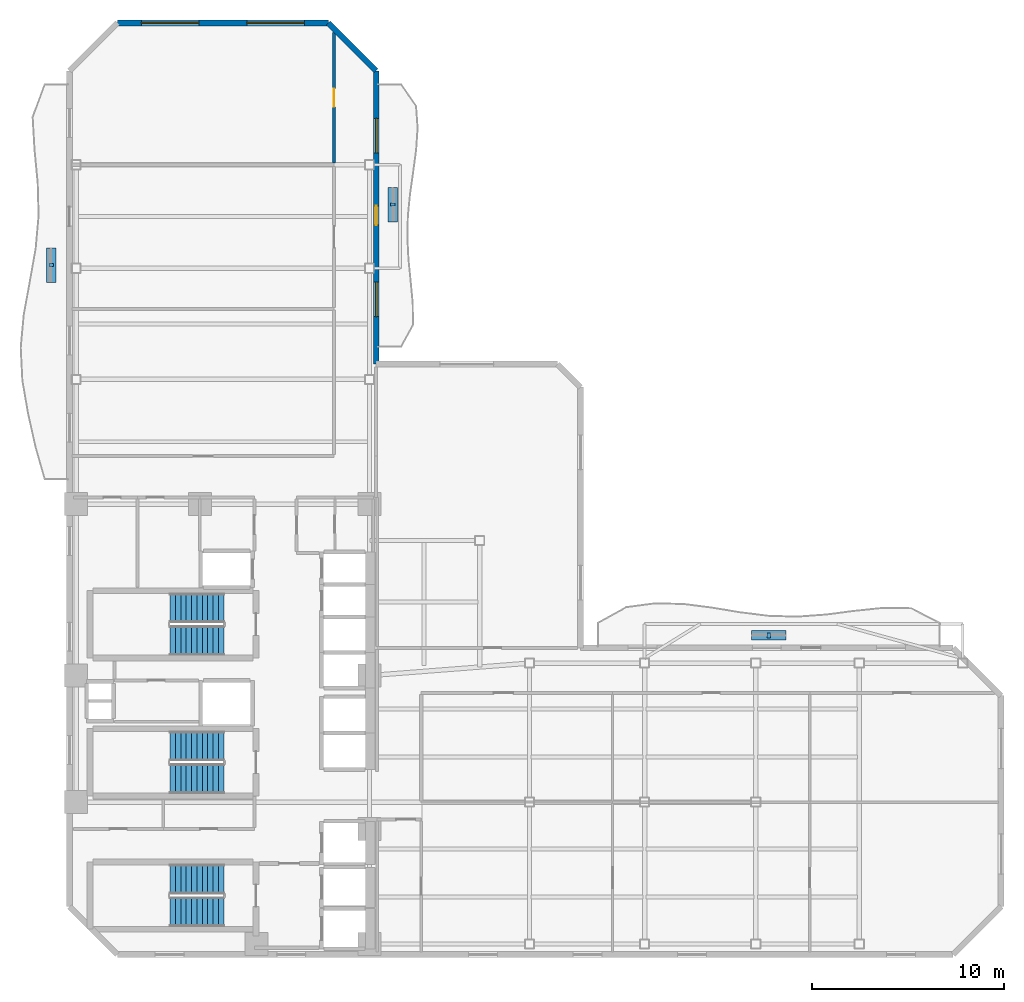
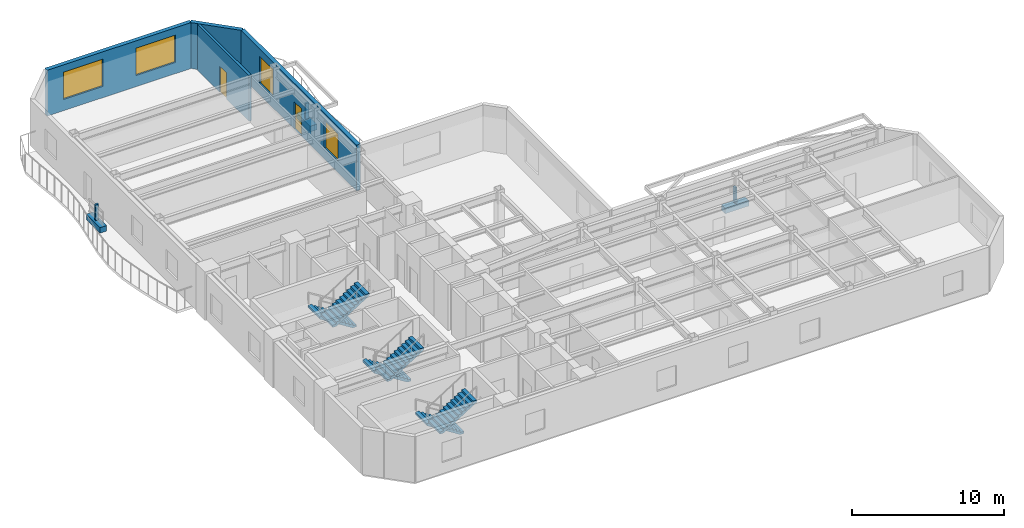
# One storey, part 6 of 9: 6 discrete accessories, 6 stair flights, 4 walls, 4 windows, 2 doors, 6 openings, 3 elements without a shape of their own.
"""IFC4 building model written with IfcOpenShell, lengths in metres."""

from ifc_helpers import new_model, si_unit, direction, frame, frame_2d, origin, origin_2d, place, context, subcontext, project, spatial, polyline, rectangle, outline, extrude, material, layer, layer_set, type_object, element, fill, aggregate, save


model = new_model("IFC4")

# Units and contexts
model_context = context("Model", 3, precision=1e-05, world=origin(), true_north=direction((0.0, 1.0)))
body_context = subcontext(model_context, "Body", "Model", "MODEL_VIEW")
ifc_project = project(units=[si_unit("LENGTHUNIT", "METRE"), si_unit("AREAUNIT", "SQUARE_METRE"), si_unit("VOLUMEUNIT", "CUBIC_METRE"), si_unit("PLANEANGLEUNIT", "RADIAN"), si_unit("MASSUNIT", "GRAM", prefix="KILO")], contexts=[model_context])

# Site, building, storey
site_placement = place(None, origin())
site = spatial("IfcSite", under=ifc_project, at=site_placement, CompositionType="ELEMENT")
building_placement = place(site_placement, origin())
building = spatial("IfcBuilding", under=site, at=building_placement, Name="Mawjaban Terraces University", CompositionType="ELEMENT")
storey_placement = place(building_placement, frame((0.0, 0.0, 107.300048828125)))
storey = spatial("IfcBuildingStorey", under=building, at=storey_placement, Name="L25", CompositionType="ELEMENT", Elevation=107.300048828125)

# Wall, opening, door
ifc_material_1 = material(Name="Acoustic masonry blockwork", Category="masonry")
ifc_layer_1 = layer(ifc_material_1, 0.179931640625)
ifc_layer_set_1 = layer_set([ifc_layer_1], Name="Acoustic masonry blockwork")
wall_type_1 = type_object("IfcWallType", Name="AcousticStudioWall_180", PredefinedType="PARTITIONING", material=ifc_layer_set_1)
wall_1_placement = place(storey_placement, frame((35.800048828125, 48.094970703125, 0.0), z_axis=(0.0, 0.0, 1.0), x_axis=(0.0, -1.0, 0.0)))
wall_1 = element("IfcWall", 1, at=wall_1_placement, inside=storey, type_object=wall_type_1, Name="L25 Inner Terrace Gallery Corridor North Partition 34", PredefinedType="PARTITIONING", context=body_context, shape_type="SweptSolid", body=[
    extrude(rectangle(XDim=6.81005859375, YDim=0.179931640625, at=frame_2d((3.405029296875, 0.0))), origin(), (0.0, 0.0, 1.0), 3.68994140625),
])
opening_1_placement = place(wall_1_placement, frame((2.929931640625, 0.0, 0.0)))
opening_1 = element("IfcOpeningElement", 2, at=opening_1_placement, cuts=wall_1, Name="Opening ID-095", PredefinedType="OPENING", context=body_context, shape_type="SweptSolid", body=[
    extrude(rectangle(XDim=0.949951171875, YDim=2.10009765625, at=frame_2d((0.47509765625, 1.050048828125))), frame((0.0, 0.099853515625, 0.0), z_axis=(0.0, -1.0, 0.0), x_axis=(1.0, 0.0, 0.0)), (0.0, 0.0, 1.0), 0.199951171875),
])
ifc_material_2 = material(Name="Powder-coated steel frame and solid acoustic timber leaf", Category="steel")
door_type_1 = type_object("IfcDoorType", Name="StudioDoor_950x2100", OperationType="NOTDEFINED", PredefinedType="DOOR", material=ifc_material_2)
door_1_placement = place(opening_1_placement, origin())
door_1 = element("IfcDoor", 3, at=door_1_placement, inside=storey, type_object=door_type_1, Name="L25 Design Studio 10 Door", OperationType="SINGLE_SWING_RIGHT", OverallHeight=2.10009765625, OverallWidth=0.949951171875, PredefinedType="DOOR", context=body_context, shape_type="SweptSolid", body=[
    extrude(rectangle(XDim=0.949951171875, YDim=2.10009765625, at=frame_2d((0.47509765625, 1.050048828125))), frame((0.0, 0.02490234375, 0.0), z_axis=(0.0, -1.0, 0.0), x_axis=(1.0, 0.0, 0.0)), (0.0, 0.0, 1.0), 0.050048828125),
])
fill(opening_1, door_1)

# Wall, openings, door, windows
ifc_material_3 = material(Name="Insulated terracotta rainscreen on concrete backup C40/50", Category="masonry")
ifc_layer_2 = layer(ifc_material_3, 0.300048828125)
ifc_layer_set_2 = layer_set([ifc_layer_2], Name="Insulated terracotta rainscreen on concrete backup C40/50")
wall_type_2 = type_object("IfcWallType", Name="ExtTerracottaWall_300", PredefinedType="SOLIDWALL", material=ifc_layer_set_2)
wall_2_placement = place(storey_placement, frame((38.0, 30.800048828125, 0.0), z_axis=(0.0, 0.0, 1.0), x_axis=(0.0, 1.0, 0.0)))
wall_2 = element("IfcWall", 4, at=wall_2_placement, inside=storey, type_object=wall_type_2, Name="L25 Exterior Terracotta Wall 9", PredefinedType="SOLIDWALL", context=body_context, shape_type="SweptSolid", body=[
    extrude(rectangle(XDim=15.300048828125, YDim=0.300048828125, at=frame_2d((7.64990234375, 0.0))), origin(), (0.0, 0.0, 1.0), 3.68994140625),
])
opening_2_placement = place(wall_2_placement, frame((7.25, 0.0, 0.0)))
opening_2 = element("IfcOpeningElement", 5, at=opening_2_placement, cuts=wall_2, Name="Opening BD-100", PredefinedType="OPENING", context=body_context, shape_type="SweptSolid", body=[
    extrude(rectangle(XDim=1.0, YDim=2.199951171875, at=frame_2d((0.5, 1.10009765625))), frame((0.0, 0.159912109375, 0.0), z_axis=(0.0, -1.0, 0.0), x_axis=(1.0, 0.0, 0.0)), (0.0, 0.0, 1.0), 0.320068359375),
])
opening_3_placement = place(wall_2_placement, frame((2.47509765625, 0.0, 0.89990234375)))
opening_3 = element("IfcOpeningElement", 6, at=opening_3_placement, cuts=wall_2, Name="Opening W-10", PredefinedType="OPENING", context=body_context, shape_type="SweptSolid", body=[
    extrude(rectangle(XDim=1.800048828125, YDim=2.199951171875, at=frame_2d((0.89990234375, 1.10009765625))), frame((0.0, 0.159912109375, 0.0), z_axis=(0.0, -1.0, 0.0), x_axis=(1.0, 0.0, 0.0)), (0.0, 0.0, 1.0), 0.320068359375),
])
opening_4_placement = place(wall_2_placement, frame((11.02490234375, 0.0, 0.89990234375)))
opening_4 = element("IfcOpeningElement", 7, at=opening_4_placement, cuts=wall_2, Name="Opening W-10", PredefinedType="OPENING", context=body_context, shape_type="SweptSolid", body=[
    extrude(rectangle(XDim=1.800048828125, YDim=2.199951171875, at=frame_2d((0.89990234375, 1.10009765625))), frame((0.0, 0.159912109375, 0.0), z_axis=(0.0, -1.0, 0.0), x_axis=(1.0, 0.0, 0.0)), (0.0, 0.0, 1.0), 0.320068359375),
])
ifc_material_4 = material(Name="Thermally broken anodised aluminium and laminated safety glass", Category="aluminium")
door_type_2 = type_object("IfcDoorType", Name="BalconyGlazedDoor_1000x2200", OperationType="NOTDEFINED", PredefinedType="DOOR", material=ifc_material_4)
door_2_placement = place(opening_2_placement, origin())
door_2 = element("IfcDoor", 8, at=door_2_placement, inside=storey, type_object=door_type_2, Name="L25 Balcony Access Door inner_east", OperationType="SINGLE_SWING_RIGHT", OverallHeight=2.199951171875, OverallWidth=1.0, PredefinedType="DOOR", context=body_context, shape_type="SweptSolid", body=[
    extrude(rectangle(XDim=1.0, YDim=2.199951171875, at=frame_2d((0.5, 1.10009765625))), frame((0.0, 0.02490234375, 0.0), z_axis=(0.0, -1.0, 0.0), x_axis=(1.0, 0.0, 0.0)), (0.0, 0.0, 1.0), 0.050048828125),
])
fill(opening_2, door_2)
ifc_material_5 = material(Name="Low-E solar-control double glazing in thermally broken aluminium frame", Category="aluminium")
window_type_1 = type_object("IfcWindowType", Name="Win_1800x2200", PartitioningType="SINGLE_PANEL", PredefinedType="WINDOW", material=ifc_material_5)
window_1_placement = place(opening_3_placement, origin())
window_1 = element("IfcWindow", 9, at=window_1_placement, inside=storey, type_object=window_type_1, Name="L25 Facade Window 9.1", OverallHeight=2.199951171875, OverallWidth=1.800048828125, PartitioningType="SINGLE_PANEL", PredefinedType="WINDOW", context=body_context, shape_type="SweptSolid", body=[
    extrude(rectangle(XDim=1.800048828125, YDim=2.199951171875, at=frame_2d((0.89990234375, 1.10009765625))), frame((0.0, 0.030029296875, 0.0), z_axis=(0.0, -1.0, 0.0), x_axis=(1.0, 0.0, 0.0)), (0.0, 0.0, 1.0), 0.06005859375),
])
fill(opening_3, window_1)
window_2_placement = place(opening_4_placement, origin())
window_2 = element("IfcWindow", 10, at=window_2_placement, inside=storey, type_object=window_type_1, Name="L25 Facade Window 9.2", OverallHeight=2.199951171875, OverallWidth=1.800048828125, PartitioningType="SINGLE_PANEL", PredefinedType="WINDOW", context=body_context, shape_type="SweptSolid", body=[
    extrude(rectangle(XDim=1.800048828125, YDim=2.199951171875, at=frame_2d((0.89990234375, 1.10009765625))), frame((0.0, 0.030029296875, 0.0), z_axis=(0.0, -1.0, 0.0), x_axis=(1.0, 0.0, 0.0)), (0.0, 0.0, 1.0), 0.06005859375),
])
fill(opening_4, window_2)

# Wall
wall_3_placement = place(storey_placement, frame((38.0, 46.10009765625, 0.0), z_axis=(0.0, 0.0, 1.0), x_axis=(-0.707106781187, 0.707106781187, 0.0)))
element("IfcWall", 11, at=wall_3_placement, inside=storey, type_object=wall_type_2, Name="L25 Exterior Terracotta Wall 10", PredefinedType="SOLIDWALL", context=body_context, shape_type="SweptSolid", body=[
    extrude(rectangle(XDim=3.53564453125, YDim=0.300048828125, at=frame_2d((1.767822265625, 0.0))), origin(), (0.0, 0.0, 1.0), 3.68994140625),
])

# Wall, openings, windows
wall_4_placement = place(storey_placement, frame((35.5, 48.60009765625, 0.0), z_axis=(0.0, 0.0, 1.0), x_axis=(-1.0, 0.0, 0.0)))
wall_4 = element("IfcWall", 12, at=wall_4_placement, inside=storey, type_object=wall_type_2, Name="L25 Exterior Terracotta Wall 11", PredefinedType="SOLIDWALL", context=body_context, shape_type="SweptSolid", body=[
    extrude(rectangle(XDim=11.0, YDim=0.300048828125, at=frame_2d((5.5, 0.0))), origin(), (0.0, 0.0, 1.0), 3.68994140625),
])
opening_5_placement = place(wall_4_placement, frame((1.25, 0.0, 0.89990234375)))
opening_5 = element("IfcOpeningElement", 13, at=opening_5_placement, cuts=wall_4, Name="Opening W-12", PredefinedType="OPENING", context=body_context, shape_type="SweptSolid", body=[
    extrude(rectangle(XDim=3.0, YDim=2.199951171875, at=frame_2d((1.5, 1.10009765625))), frame((0.0, 0.159912109375, 0.0), z_axis=(0.0, -1.0, 0.0), x_axis=(1.0, 0.0, 0.0)), (0.0, 0.0, 1.0), 0.320068359375),
])
opening_6_placement = place(wall_4_placement, frame((6.75, 0.0, 0.89990234375)))
opening_6 = element("IfcOpeningElement", 14, at=opening_6_placement, cuts=wall_4, Name="Opening W-12", PredefinedType="OPENING", context=body_context, shape_type="SweptSolid", body=[
    extrude(rectangle(XDim=3.0, YDim=2.199951171875, at=frame_2d((1.5, 1.10009765625))), frame((0.0, 0.159912109375, 0.0), z_axis=(0.0, -1.0, 0.0), x_axis=(1.0, 0.0, 0.0)), (0.0, 0.0, 1.0), 0.320068359375),
])
window_type_2 = type_object("IfcWindowType", Name="Win_3000x2200", PartitioningType="SINGLE_PANEL", PredefinedType="WINDOW", material=ifc_material_5)
window_3_placement = place(opening_5_placement, origin())
window_3 = element("IfcWindow", 15, at=window_3_placement, inside=storey, type_object=window_type_2, Name="L25 Facade Window 11.1", OverallHeight=2.199951171875, OverallWidth=3.0, PartitioningType="SINGLE_PANEL", PredefinedType="WINDOW", context=body_context, shape_type="SweptSolid", body=[
    extrude(rectangle(XDim=3.0, YDim=2.199951171875, at=frame_2d((1.5, 1.10009765625))), frame((0.0, 0.030029296875, 0.0), z_axis=(0.0, -1.0, 0.0), x_axis=(1.0, 0.0, 0.0)), (0.0, 0.0, 1.0), 0.06005859375),
])
fill(opening_5, window_3)
window_4_placement = place(opening_6_placement, origin())
window_4 = element("IfcWindow", 16, at=window_4_placement, inside=storey, type_object=window_type_2, Name="L25 Facade Window 11.2", OverallHeight=2.199951171875, OverallWidth=3.0, PartitioningType="SINGLE_PANEL", PredefinedType="WINDOW", context=body_context, shape_type="SweptSolid", body=[
    extrude(rectangle(XDim=3.0, YDim=2.199951171875, at=frame_2d((1.5, 1.10009765625))), frame((0.0, 0.030029296875, 0.0), z_axis=(0.0, -1.0, 0.0), x_axis=(1.0, 0.0, 0.0)), (0.0, 0.0, 1.0), 0.06005859375),
])
fill(opening_6, window_4)

# Stair, stair flights
ifc_material_6 = material(Name="Concrete C40/50", Category="concrete")
stair_type = type_object("IfcStairType", Name="Stair_Core1550_H39", PredefinedType="HALF_TURN_STAIR", material=ifc_material_6)
stair_1_placement = place(storey_placement, origin())
stair_1 = element("IfcStair", 17, at=stair_1_placement, inside=storey, type_object=stair_type, Name="L25 Core Exit Stair 1", PredefinedType="HALF_TURN_STAIR")
stair_flight_type = type_object("IfcStairFlightType", Name="Flight_Core1550_H39", PredefinedType="STRAIGHT", material=ifc_material_6)
stair_flight_1_placement = place(storey_placement, frame((30.050048828125, 3.925048828125, 0.0), z_axis=(0.0, 0.0, 1.0), x_axis=(-1.0, 0.0, 0.0)))
stair_flight_1 = element("IfcStairFlight", 18, at=stair_flight_1_placement, type_object=stair_flight_type, Name="ST-1 flight 1", NumberOfRisers=11, NumberOfTreads=10, PredefinedType="STRAIGHT", RiserHeight=0.177272727, TreadLength=0.28, context=body_context, shape_type="SweptSolid", body=[
    extrude(outline(polyline([(0.0, 0.0), (0.0, 0.17724609375), (0.280029296875, 0.17724609375), (0.280029296875, 0.3544921875), (0.56005859375, 0.3544921875), (0.56005859375, 0.53173828125), (0.840087890625, 0.53173828125), (0.840087890625, 0.708984375), (1.1201171875, 0.708984375), (1.1201171875, 0.886474609375), (1.39990234375, 0.886474609375), (1.39990234375, 1.063720703125), (1.679931640625, 1.063720703125), (1.679931640625, 1.240966796875), (1.9599609375, 1.240966796875), (1.9599609375, 1.418212890625), (2.239990234375, 1.418212890625), (2.239990234375, 1.595458984375), (2.52001953125, 1.595458984375), (2.52001953125, 1.772705078125), (2.800048828125, 1.772705078125), (2.800048828125, 1.949951171875), (2.800048828125, 1.59521484375), (0.2802734375, 0.0), (0.0, 0.0)])), frame((0.0, 0.77490234375, 0.0), z_axis=(0.0, -1.0, 0.0), x_axis=(1.0, 0.0, 0.0)), (0.0, 0.0, 1.0), 1.550048828125),
])
stair_flight_2_placement = place(storey_placement, frame((27.25, 2.22509765625, 1.949951171875), z_axis=(0.0, 0.0, 1.0), x_axis=(1.0, 0.0, 0.0)))
stair_flight_2 = element("IfcStairFlight", 19, at=stair_flight_2_placement, type_object=stair_flight_type, Name="ST-1 flight 2", NumberOfRisers=11, NumberOfTreads=10, PredefinedType="STRAIGHT", RiserHeight=0.177272727, TreadLength=0.28, context=body_context, shape_type="SweptSolid", body=[
    extrude(outline(polyline([(0.0, 0.0), (0.0, 0.17724609375), (0.280029296875, 0.17724609375), (0.280029296875, 0.3544921875), (0.56005859375, 0.3544921875), (0.56005859375, 0.53173828125), (0.840087890625, 0.53173828125), (0.840087890625, 0.708984375), (1.1201171875, 0.708984375), (1.1201171875, 0.886474609375), (1.39990234375, 0.886474609375), (1.39990234375, 1.063720703125), (1.679931640625, 1.063720703125), (1.679931640625, 1.240966796875), (1.9599609375, 1.240966796875), (1.9599609375, 1.418212890625), (2.239990234375, 1.418212890625), (2.239990234375, 1.595458984375), (2.52001953125, 1.595458984375), (2.52001953125, 1.772705078125), (2.800048828125, 1.772705078125), (2.800048828125, 1.949951171875), (2.800048828125, 1.59521484375), (0.2802734375, 0.0), (0.0, 0.0)])), frame((0.0, 0.77490234375, 0.0), z_axis=(0.0, -1.0, 0.0), x_axis=(1.0, 0.0, 0.0)), (0.0, 0.0, 1.0), 1.550048828125),
])
aggregate(stair_1, [stair_flight_1, stair_flight_2])

stair_2_placement = place(storey_placement, origin())
stair_2 = element("IfcStair", 20, at=stair_2_placement, inside=storey, type_object=stair_type, Name="L25 Core Exit Stair 2", PredefinedType="HALF_TURN_STAIR")
stair_flight_3_placement = place(storey_placement, frame((30.050048828125, 18.074951171875, 0.0), z_axis=(0.0, 0.0, 1.0), x_axis=(-1.0, 0.0, 0.0)))
stair_flight_3 = element("IfcStairFlight", 21, at=stair_flight_3_placement, type_object=stair_flight_type, Name="ST-2 flight 1", NumberOfRisers=11, NumberOfTreads=10, PredefinedType="STRAIGHT", RiserHeight=0.177272727, TreadLength=0.28, context=body_context, shape_type="SweptSolid", body=[
    extrude(outline(polyline([(0.0, 0.0), (0.0, 0.17724609375), (0.280029296875, 0.17724609375), (0.280029296875, 0.3544921875), (0.56005859375, 0.3544921875), (0.56005859375, 0.53173828125), (0.840087890625, 0.53173828125), (0.840087890625, 0.708984375), (1.1201171875, 0.708984375), (1.1201171875, 0.886474609375), (1.39990234375, 0.886474609375), (1.39990234375, 1.063720703125), (1.679931640625, 1.063720703125), (1.679931640625, 1.240966796875), (1.9599609375, 1.240966796875), (1.9599609375, 1.418212890625), (2.239990234375, 1.418212890625), (2.239990234375, 1.595458984375), (2.52001953125, 1.595458984375), (2.52001953125, 1.772705078125), (2.800048828125, 1.772705078125), (2.800048828125, 1.949951171875), (2.800048828125, 1.59521484375), (0.2802734375, 0.0), (0.0, 0.0)])), frame((0.0, 0.77490234375, 0.0), z_axis=(0.0, -1.0, 0.0), x_axis=(1.0, 0.0, 0.0)), (0.0, 0.0, 1.0), 1.550048828125),
])
stair_flight_4_placement = place(storey_placement, frame((27.25, 16.375, 1.949951171875), z_axis=(0.0, 0.0, 1.0), x_axis=(1.0, 0.0, 0.0)))
stair_flight_4 = element("IfcStairFlight", 22, at=stair_flight_4_placement, type_object=stair_flight_type, Name="ST-2 flight 2", NumberOfRisers=11, NumberOfTreads=10, PredefinedType="STRAIGHT", RiserHeight=0.177272727, TreadLength=0.28, context=body_context, shape_type="SweptSolid", body=[
    extrude(outline(polyline([(0.0, 0.0), (0.0, 0.17724609375), (0.280029296875, 0.17724609375), (0.280029296875, 0.3544921875), (0.56005859375, 0.3544921875), (0.56005859375, 0.53173828125), (0.840087890625, 0.53173828125), (0.840087890625, 0.708984375), (1.1201171875, 0.708984375), (1.1201171875, 0.886474609375), (1.39990234375, 0.886474609375), (1.39990234375, 1.063720703125), (1.679931640625, 1.063720703125), (1.679931640625, 1.240966796875), (1.9599609375, 1.240966796875), (1.9599609375, 1.418212890625), (2.239990234375, 1.418212890625), (2.239990234375, 1.595458984375), (2.52001953125, 1.595458984375), (2.52001953125, 1.772705078125), (2.800048828125, 1.772705078125), (2.800048828125, 1.949951171875), (2.800048828125, 1.59521484375), (0.2802734375, 0.0), (0.0, 0.0)])), frame((0.0, 0.77490234375, 0.0), z_axis=(0.0, -1.0, 0.0), x_axis=(1.0, 0.0, 0.0)), (0.0, 0.0, 1.0), 1.550048828125),
])
aggregate(stair_2, [stair_flight_3, stair_flight_4])

stair_3_placement = place(storey_placement, origin())
stair_3 = element("IfcStair", 23, at=stair_3_placement, inside=storey, type_object=stair_type, Name="L25 Core Exit Stair 3", PredefinedType="HALF_TURN_STAIR")
stair_flight_5_placement = place(storey_placement, frame((30.050048828125, 10.875, 0.0), z_axis=(0.0, 0.0, 1.0), x_axis=(-1.0, 0.0, 0.0)))
stair_flight_5 = element("IfcStairFlight", 24, at=stair_flight_5_placement, type_object=stair_flight_type, Name="ST-3 flight 1", NumberOfRisers=11, NumberOfTreads=10, PredefinedType="STRAIGHT", RiserHeight=0.177272727, TreadLength=0.28, context=body_context, shape_type="SweptSolid", body=[
    extrude(outline(polyline([(0.0, 0.0), (0.0, 0.17724609375), (0.280029296875, 0.17724609375), (0.280029296875, 0.3544921875), (0.56005859375, 0.3544921875), (0.56005859375, 0.53173828125), (0.840087890625, 0.53173828125), (0.840087890625, 0.708984375), (1.1201171875, 0.708984375), (1.1201171875, 0.886474609375), (1.39990234375, 0.886474609375), (1.39990234375, 1.063720703125), (1.679931640625, 1.063720703125), (1.679931640625, 1.240966796875), (1.9599609375, 1.240966796875), (1.9599609375, 1.418212890625), (2.239990234375, 1.418212890625), (2.239990234375, 1.595458984375), (2.52001953125, 1.595458984375), (2.52001953125, 1.772705078125), (2.800048828125, 1.772705078125), (2.800048828125, 1.949951171875), (2.800048828125, 1.59521484375), (0.2802734375, 0.0), (0.0, 0.0)])), frame((0.0, 0.77490234375, 0.0), z_axis=(0.0, -1.0, 0.0), x_axis=(1.0, 0.0, 0.0)), (0.0, 0.0, 1.0), 1.550048828125),
])
stair_flight_6_placement = place(storey_placement, frame((27.25, 9.175048828125, 1.949951171875), z_axis=(0.0, 0.0, 1.0), x_axis=(1.0, 0.0, 0.0)))
stair_flight_6 = element("IfcStairFlight", 25, at=stair_flight_6_placement, type_object=stair_flight_type, Name="ST-3 flight 2", NumberOfRisers=11, NumberOfTreads=10, PredefinedType="STRAIGHT", RiserHeight=0.177272727, TreadLength=0.28, context=body_context, shape_type="SweptSolid", body=[
    extrude(outline(polyline([(0.0, 0.0), (0.0, 0.17724609375), (0.280029296875, 0.17724609375), (0.280029296875, 0.3544921875), (0.56005859375, 0.3544921875), (0.56005859375, 0.53173828125), (0.840087890625, 0.53173828125), (0.840087890625, 0.708984375), (1.1201171875, 0.708984375), (1.1201171875, 0.886474609375), (1.39990234375, 0.886474609375), (1.39990234375, 1.063720703125), (1.679931640625, 1.063720703125), (1.679931640625, 1.240966796875), (1.9599609375, 1.240966796875), (1.9599609375, 1.418212890625), (2.239990234375, 1.418212890625), (2.239990234375, 1.595458984375), (2.52001953125, 1.595458984375), (2.52001953125, 1.772705078125), (2.800048828125, 1.772705078125), (2.800048828125, 1.949951171875), (2.800048828125, 1.59521484375), (0.2802734375, 0.0), (0.0, 0.0)])), frame((0.0, 0.77490234375, 0.0), z_axis=(0.0, -1.0, 0.0), x_axis=(1.0, 0.0, 0.0)), (0.0, 0.0, 1.0), 1.550048828125),
])
aggregate(stair_3, [stair_flight_5, stair_flight_6])

# Discrete accessories
ifc_material_7 = material(Name="Stainless steel 316L", Category="steel")
discrete_accessory_type_1 = type_object("IfcDiscreteAccessoryType", Name="FacadeScreenBracket_Steel", PredefinedType="BRACKET", material=ifc_material_7)
for number, where, z_axis, x_axis, name in (
    (26, (21.0400390625, 35.958984375, 0.419921875), (0.0, 0.0, 1.0), (0.0, 1.0, 0.0), "L25 Balcony Screen Support Bracket west"),
    (27, (58.47802734375, 16.64501953125, 0.419921875), (0.0, 0.0, 1.0), (1.0, 0.0, 0.0), "L25 Balcony Screen Support Bracket inner_north"),
    (28, (38.85595703125, 39.12109375, 0.419921875), (0.0, 0.0, 1.0), (0.0, 1.0, 0.0), "L25 Balcony Screen Support Bracket inner_east"),
):
    element("IfcDiscreteAccessory", number, at=place(storey_placement, frame(where, z_axis=z_axis, x_axis=x_axis)), inside=storey, type_object=discrete_accessory_type_1, Name=name, PredefinedType="BRACKET", context=body_context, shape_type="SweptSolid", body=[
        extrude(rectangle(XDim=0.159912109375, YDim=0.239990234375, at=origin_2d()), origin(), (0.0, 0.0, 1.0), 1.300048828125),
    ])
ifc_material_8 = material(Name="Precast architectural terracotta planter with engineered planting soil", Category="masonry")
discrete_accessory_type_2 = type_object("IfcDiscreteAccessoryType", Name="IrrigatedPlanterTrough_450", PredefinedType="USERDEFINED", material=ifc_material_8)
for number, where, z_axis, x_axis, name in (
    (29, (21.0400390625, 35.958984375, -0.0048828125), (0.0, 0.0, 1.0), (0.0, 1.0, 0.0), "L25 Balcony Irrigated Planter west"),
    (30, (58.47802734375, 16.64501953125, -0.0048828125), (0.0, 0.0, 1.0), (1.0, 0.0, 0.0), "L25 Balcony Irrigated Planter inner_north"),
    (31, (38.85595703125, 39.12109375, -0.0048828125), (0.0, 0.0, 1.0), (0.0, 1.0, 0.0), "L25 Balcony Irrigated Planter inner_east"),
):
    element("IfcDiscreteAccessory", number, at=place(storey_placement, frame(where, z_axis=z_axis, x_axis=x_axis)), inside=storey, type_object=discrete_accessory_type_2, Name=name, ObjectType="PLANTER", PredefinedType="USERDEFINED", context=body_context, shape_type="SweptSolid", body=[
        extrude(rectangle(XDim=1.800048828125, YDim=0.5, at=origin_2d()), origin(), (0.0, 0.0, 1.0), 0.449951171875),
    ])

save(model, "model.ifc")
